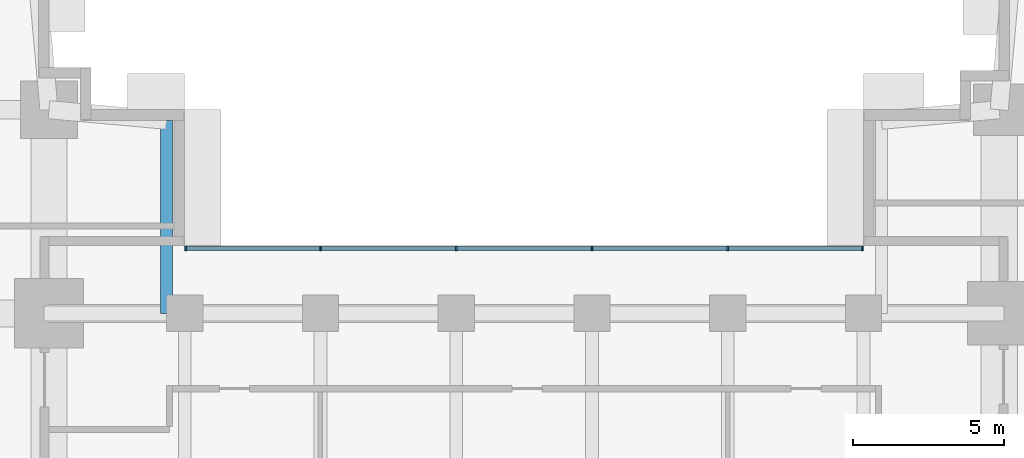
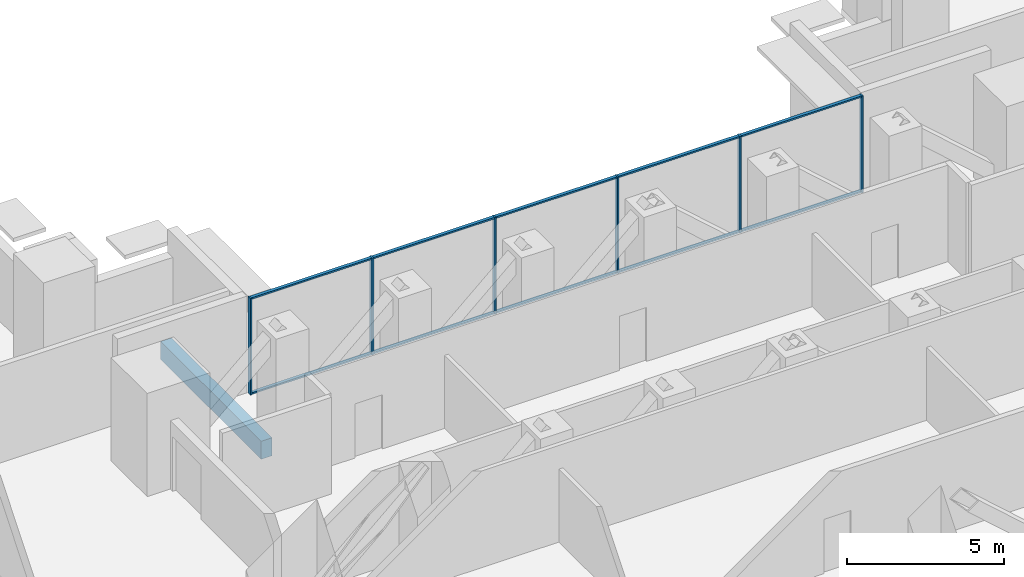
# One storey, part 4 of 16: 16 members, 1 beam, 1 element without a shape of its own.
"""IFC4 building model written with IfcOpenShell, lengths in metres."""

from ifc_helpers import new_model, si_unit, direction, frame, origin, origin_2d, place, context, subcontext, project, spatial, rectangle, extrude, material, layer, layer_set, material_profile, profile_set, type_object, element, aggregate, save


model = new_model("IFC4")

# Units and contexts
model_context = context("Model", 3, precision=1e-05, world=origin(), true_north=direction((0.0, 1.0)))
body_context = subcontext(model_context, "Body", "Model", "MODEL_VIEW")
ifc_project = project(units=[si_unit("LENGTHUNIT", "METRE"), si_unit("AREAUNIT", "SQUARE_METRE"), si_unit("VOLUMEUNIT", "CUBIC_METRE"), si_unit("PLANEANGLEUNIT", "RADIAN"), si_unit("MASSUNIT", "GRAM", prefix="KILO")], contexts=[model_context])

# Site, building, storey
site_placement = place(None, origin())
site = spatial("IfcSite", under=ifc_project, at=site_placement, CompositionType="ELEMENT")
building_placement = place(site_placement, origin())
building = spatial("IfcBuilding", under=site, at=building_placement, Name="Namib Vertical Campus", CompositionType="ELEMENT")
storey_placement = place(building_placement, frame((0.0, 0.0, 113.0)))
storey = spatial("IfcBuildingStorey", under=building, at=storey_placement, Name="L26", CompositionType="ELEMENT", Elevation=113.0)

# Curtain wall, members
ifc_material_1 = material(Name="Black aluminium curtain wall", Category="aluminium")
ifc_layer = layer(ifc_material_1, 0.199951171875)
ifc_layer_set = layer_set([ifc_layer], Name="Bridge curtain wall CW-BR")
curtain_wall_type = type_object("IfcCurtainWallType", Name="Bridge curtain wall CW-BR", PredefinedType="USERDEFINED", material=ifc_layer_set)
curtain_wall_placement = place(storey_placement, origin())
curtain_wall = element("IfcCurtainWall", 1, at=curtain_wall_placement, inside=storey, type_object=curtain_wall_type, Name="Curtain wall CW-BR L26 N", ObjectType="CURTAIN WALL", PredefinedType="USERDEFINED")
ifc_material_2 = material(Name="Black anodised aluminium", Category="aluminium")
ifc_material_profile_1 = material_profile(ifc_material_2, rectangle(XDim=0.06005859375, YDim=0.159912109375, at=origin_2d()))
ifc_profile_set_1 = profile_set([ifc_material_profile_1], Name="Black anodised aluminium")
member_type_1 = type_object("IfcMemberType", Name="Curtain wall mullion 60x160", PredefinedType="MULLION", material=ifc_profile_set_1)
member_1_placement = place(storey_placement, frame((62.969970703125, 31.39990234375, 0.0), z_axis=(0.0, 0.0, 1.0), x_axis=(-1.0, 0.0, 0.0)))
member_1 = element("IfcMember", 2, at=member_1_placement, type_object=member_type_1, Name="CW-BR mullion 1", PredefinedType="MULLION", context=body_context, shape_type="SweptSolid", body=[
    extrude(rectangle(XDim=0.06005859375, YDim=0.159912109375, at=origin_2d()), origin(), (0.0, 0.0, 1.0), 3.75),
])
member_2_placement = place(storey_placement, frame((58.5, 31.39990234375, 0.0), z_axis=(0.0, 0.0, 1.0), x_axis=(-1.0, 0.0, 0.0)))
member_2 = element("IfcMember", 3, at=member_2_placement, type_object=member_type_1, Name="CW-BR mullion 2", PredefinedType="MULLION", context=body_context, shape_type="SweptSolid", body=[
    extrude(rectangle(XDim=0.06005859375, YDim=0.159912109375, at=origin_2d()), origin(), (0.0, 0.0, 1.0), 3.75),
])
member_3_placement = place(storey_placement, frame((54.0, 31.39990234375, 0.0), z_axis=(0.0, 0.0, 1.0), x_axis=(-1.0, 0.0, 0.0)))
member_3 = element("IfcMember", 4, at=member_3_placement, type_object=member_type_1, Name="CW-BR mullion 3", PredefinedType="MULLION", context=body_context, shape_type="SweptSolid", body=[
    extrude(rectangle(XDim=0.06005859375, YDim=0.159912109375, at=origin_2d()), origin(), (0.0, 0.0, 1.0), 3.75),
])
member_4_placement = place(storey_placement, frame((49.5, 31.39990234375, 0.0), z_axis=(0.0, 0.0, 1.0), x_axis=(-1.0, 0.0, 0.0)))
member_4 = element("IfcMember", 5, at=member_4_placement, type_object=member_type_1, Name="CW-BR mullion 4", PredefinedType="MULLION", context=body_context, shape_type="SweptSolid", body=[
    extrude(rectangle(XDim=0.06005859375, YDim=0.159912109375, at=origin_2d()), origin(), (0.0, 0.0, 1.0), 3.75),
])
member_5_placement = place(storey_placement, frame((45.0, 31.39990234375, 0.0), z_axis=(0.0, 0.0, 1.0), x_axis=(-1.0, 0.0, 0.0)))
member_5 = element("IfcMember", 6, at=member_5_placement, type_object=member_type_1, Name="CW-BR mullion 5", PredefinedType="MULLION", context=body_context, shape_type="SweptSolid", body=[
    extrude(rectangle(XDim=0.06005859375, YDim=0.159912109375, at=origin_2d()), origin(), (0.0, 0.0, 1.0), 3.75),
])
member_6_placement = place(storey_placement, frame((40.530029296875, 31.39990234375, 0.0), z_axis=(0.0, 0.0, 1.0), x_axis=(-1.0, 0.0, 0.0)))
member_6 = element("IfcMember", 7, at=member_6_placement, type_object=member_type_1, Name="CW-BR mullion 6", PredefinedType="MULLION", context=body_context, shape_type="SweptSolid", body=[
    extrude(rectangle(XDim=0.06005859375, YDim=0.159912109375, at=origin_2d()), origin(), (0.0, 0.0, 1.0), 3.75),
])
ifc_material_3 = material(Name="Black anodised aluminium", Category="aluminium")
ifc_material_profile_2 = material_profile(ifc_material_3, rectangle(XDim=0.06005859375, YDim=0.1201171875, at=origin_2d()))
ifc_profile_set_2 = profile_set([ifc_material_profile_2], Name="Black anodised aluminium")
member_type_2 = type_object("IfcMemberType", Name="Curtain wall transom 60x120", PredefinedType="USERDEFINED", material=ifc_profile_set_2)
member_7_placement = place(storey_placement, frame((62.93994140625, 31.39990234375, 0.030029296875), z_axis=(-1.0, 0.0, 0.0), x_axis=(0.0, 0.0, 1.0)))
member_7 = element("IfcMember", 8, at=member_7_placement, type_object=member_type_2, Name="CW-BR transom 1.1", ObjectType="TRANSOM", PredefinedType="USERDEFINED", context=body_context, shape_type="SweptSolid", body=[
    extrude(rectangle(XDim=0.06005859375, YDim=0.1201171875, at=origin_2d()), origin(), (0.0, 0.0, 1.0), 4.409912109375),
])
member_8_placement = place(storey_placement, frame((62.93994140625, 31.39990234375, 3.719970703125), z_axis=(-1.0, 0.0, 0.0), x_axis=(0.0, 0.0, 1.0)))
member_8 = element("IfcMember", 9, at=member_8_placement, type_object=member_type_2, Name="CW-BR transom 1.2", ObjectType="TRANSOM", PredefinedType="USERDEFINED", context=body_context, shape_type="SweptSolid", body=[
    extrude(rectangle(XDim=0.06005859375, YDim=0.1201171875, at=origin_2d()), origin(), (0.0, 0.0, 1.0), 4.409912109375),
])
member_9_placement = place(storey_placement, frame((58.469970703125, 31.39990234375, 0.030029296875), z_axis=(-1.0, 0.0, 0.0), x_axis=(0.0, 0.0, 1.0)))
member_9 = element("IfcMember", 10, at=member_9_placement, type_object=member_type_2, Name="CW-BR transom 2.1", ObjectType="TRANSOM", PredefinedType="USERDEFINED", context=body_context, shape_type="SweptSolid", body=[
    extrude(rectangle(XDim=0.06005859375, YDim=0.1201171875, at=origin_2d()), origin(), (0.0, 0.0, 1.0), 4.43994140625),
])
member_10_placement = place(storey_placement, frame((58.469970703125, 31.39990234375, 3.719970703125), z_axis=(-1.0, 0.0, 0.0), x_axis=(0.0, 0.0, 1.0)))
member_10 = element("IfcMember", 11, at=member_10_placement, type_object=member_type_2, Name="CW-BR transom 2.2", ObjectType="TRANSOM", PredefinedType="USERDEFINED", context=body_context, shape_type="SweptSolid", body=[
    extrude(rectangle(XDim=0.06005859375, YDim=0.1201171875, at=origin_2d()), origin(), (0.0, 0.0, 1.0), 4.43994140625),
])
member_11_placement = place(storey_placement, frame((53.969970703125, 31.39990234375, 0.030029296875), z_axis=(-1.0, 0.0, 0.0), x_axis=(0.0, 0.0, 1.0)))
member_11 = element("IfcMember", 12, at=member_11_placement, type_object=member_type_2, Name="CW-BR transom 3.1", ObjectType="TRANSOM", PredefinedType="USERDEFINED", context=body_context, shape_type="SweptSolid", body=[
    extrude(rectangle(XDim=0.06005859375, YDim=0.1201171875, at=origin_2d()), origin(), (0.0, 0.0, 1.0), 4.43994140625),
])
member_12_placement = place(storey_placement, frame((53.969970703125, 31.39990234375, 3.719970703125), z_axis=(-1.0, 0.0, 0.0), x_axis=(0.0, 0.0, 1.0)))
member_12 = element("IfcMember", 13, at=member_12_placement, type_object=member_type_2, Name="CW-BR transom 3.2", ObjectType="TRANSOM", PredefinedType="USERDEFINED", context=body_context, shape_type="SweptSolid", body=[
    extrude(rectangle(XDim=0.06005859375, YDim=0.1201171875, at=origin_2d()), origin(), (0.0, 0.0, 1.0), 4.43994140625),
])
member_13_placement = place(storey_placement, frame((49.469970703125, 31.39990234375, 0.030029296875), z_axis=(-1.0, 0.0, 0.0), x_axis=(0.0, 0.0, 1.0)))
member_13 = element("IfcMember", 14, at=member_13_placement, type_object=member_type_2, Name="CW-BR transom 4.1", ObjectType="TRANSOM", PredefinedType="USERDEFINED", context=body_context, shape_type="SweptSolid", body=[
    extrude(rectangle(XDim=0.06005859375, YDim=0.1201171875, at=origin_2d()), origin(), (0.0, 0.0, 1.0), 4.43994140625),
])
member_14_placement = place(storey_placement, frame((49.469970703125, 31.39990234375, 3.719970703125), z_axis=(-1.0, 0.0, 0.0), x_axis=(0.0, 0.0, 1.0)))
member_14 = element("IfcMember", 15, at=member_14_placement, type_object=member_type_2, Name="CW-BR transom 4.2", ObjectType="TRANSOM", PredefinedType="USERDEFINED", context=body_context, shape_type="SweptSolid", body=[
    extrude(rectangle(XDim=0.06005859375, YDim=0.1201171875, at=origin_2d()), origin(), (0.0, 0.0, 1.0), 4.43994140625),
])
member_15_placement = place(storey_placement, frame((44.969970703125, 31.39990234375, 0.030029296875), z_axis=(-1.0, 0.0, 0.0), x_axis=(0.0, 0.0, 1.0)))
member_15 = element("IfcMember", 16, at=member_15_placement, type_object=member_type_2, Name="CW-BR transom 5.1", ObjectType="TRANSOM", PredefinedType="USERDEFINED", context=body_context, shape_type="SweptSolid", body=[
    extrude(rectangle(XDim=0.06005859375, YDim=0.1201171875, at=origin_2d()), origin(), (0.0, 0.0, 1.0), 4.409912109375),
])
member_16_placement = place(storey_placement, frame((44.969970703125, 31.39990234375, 3.719970703125), z_axis=(-1.0, 0.0, 0.0), x_axis=(0.0, 0.0, 1.0)))
member_16 = element("IfcMember", 17, at=member_16_placement, type_object=member_type_2, Name="CW-BR transom 5.2", ObjectType="TRANSOM", PredefinedType="USERDEFINED", context=body_context, shape_type="SweptSolid", body=[
    extrude(rectangle(XDim=0.06005859375, YDim=0.1201171875, at=origin_2d()), origin(), (0.0, 0.0, 1.0), 4.409912109375),
])
aggregate(curtain_wall, [member_1, member_2, member_3, member_4, member_5, member_6, member_7, member_8, member_9, member_10, member_11, member_12, member_13, member_14, member_15, member_16])

# Beam
ifc_material_4 = material(Name="Concrete C40/50", Category="concrete")
ifc_material_profile_3 = material_profile(ifc_material_4, rectangle(XDim=0.39990234375, YDim=0.699951171875, at=origin_2d()))
ifc_profile_set_3 = profile_set([ifc_material_profile_3], Name="Concrete C40/50")
beam_type = type_object("IfcBeamType", Name="Edge beam RC 400x700", PredefinedType="SPANDREL", material=ifc_profile_set_3)
beam_placement = place(storey_placement, frame((39.89990234375, 29.25, -0.60009765625), z_axis=(0.0, 1.0, 0.0), x_axis=(-1.0, 0.0, 0.0)))
element("IfcBeam", 18, at=beam_placement, inside=storey, type_object=beam_type, Name="Beam B4 L26", PredefinedType="SPANDREL", context=body_context, shape_type="SweptSolid", body=[
    extrude(rectangle(XDim=0.39990234375, YDim=0.699951171875, at=origin_2d()), origin(), (0.0, 0.0, 1.0), 6.39990234375),
])

save(model, "model.ifc")
